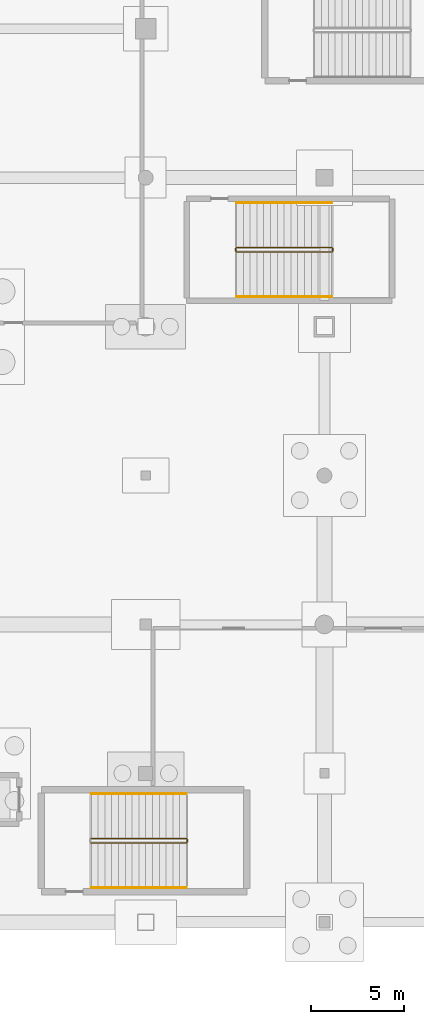
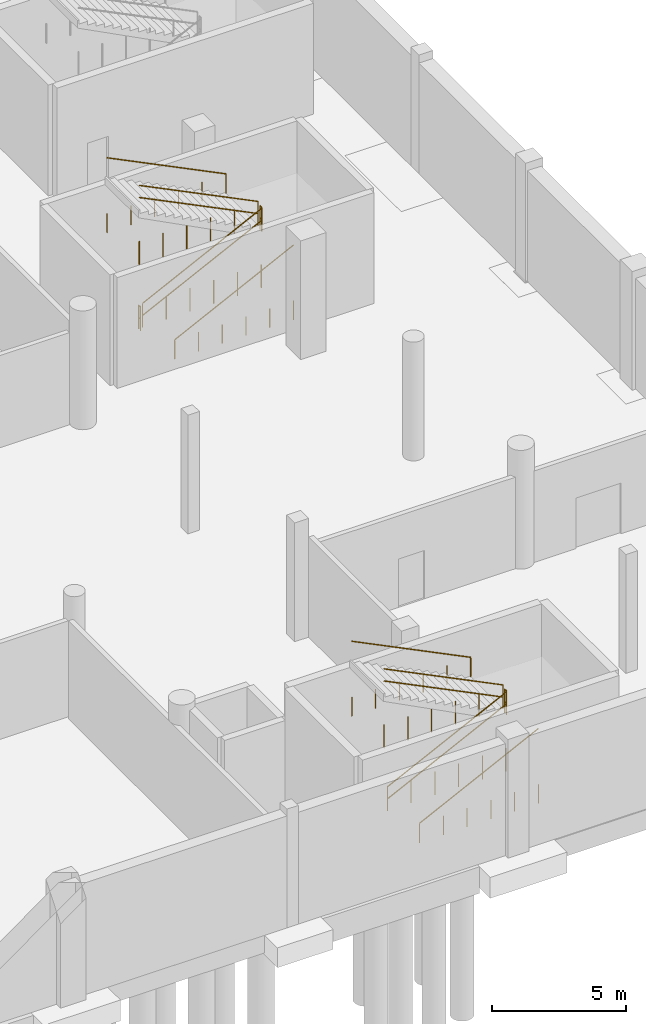
# One storey, part 40 of 44: 11 railings.
"""IFC4 building model written with IfcOpenShell, lengths in metres."""

import ifcopenshell
import ifcopenshell.guid

model = None  # the IFC model being written
_history = None  # IfcOwnerHistory: only IFC2X3 demands one
_inside = {}  # id of a spatial element -> (the spatial element, [elements in it])
_under = {}  # id of a project, library or spatial element -> (it, [spatial elements below it])
_declared = {}  # id of a project -> (the project, [libraries it declares])
_typed = {}  # id of a type object -> (the type object, [elements of that type])
_made_of = {}  # id of a material, layer set ... -> (it, [elements and type objects made of it])


def new_model(schema):
    """Start an empty IFC model of exactly this schema.

    Asked for "IFC4X3", IfcOpenShell would pick the latest addendum, in which some entities
    have other attributes; the version numbers below select the first issue.
    IFC2X3 requires an IfcOwnerHistory on every rooted entity: one is made here for all.
    """
    global model, _history
    if schema == "IFC4X3":
        model = ifcopenshell.file(schema_version=(4, 3, 0, 0))
    else:
        model = ifcopenshell.file(schema=schema)
    _inside.clear()
    _under.clear()
    _declared.clear()
    _typed.clear()
    _made_of.clear()
    _history = None
    if model.schema == "IFC2X3":
        org = make("IfcOrganization", Name="unknown")
        user = make(
            "IfcPersonAndOrganization",
            ThePerson=make("IfcPerson", FamilyName="unknown"),
            TheOrganization=org,
        )
        app = make(
            "IfcApplication",
            ApplicationDeveloper=org,
            Version="unknown",
            ApplicationFullName="unknown",
            ApplicationIdentifier="unknown",
        )
        _history = make(
            "IfcOwnerHistory",
            OwningUser=user,
            OwningApplication=app,
            ChangeAction="ADDED",
            CreationDate=0,
        )
    return model


def make(cls, **values):
    """One entity of the class cls with the attributes given. An attribute that is None is left unset."""
    return model.create_entity(
        cls, **{name: value for name, value in values.items() if value is not None}
    )


def rooted(cls, **values):
    """An entity with a GlobalId (a new one), such as an element, a storey or a relation."""
    return make(cls, GlobalId=ifcopenshell.guid.new(), OwnerHistory=_history, **values)


def si_unit(unit_type, name, prefix=None):
    """IfcSIUnit, for example si_unit("LENGTHUNIT", "METRE", prefix="MILLI")."""
    return make("IfcSIUnit", UnitType=unit_type, Prefix=prefix, Name=name)


def assignment(units):
    """IfcUnitAssignment: the units of a project."""
    return None if units is None else make("IfcUnitAssignment", Units=units)


def point(xyz):
    """IfcCartesianPoint."""
    return None if xyz is None else make("IfcCartesianPoint", Coordinates=xyz)


def direction(xyz):
    """IfcDirection."""
    return None if xyz is None else make("IfcDirection", DirectionRatios=xyz)


def frame(location, z_axis=None, x_axis=None):
    """IfcAxis2Placement3D, a coordinate frame: its origin and axes. An axis left out is left unset."""
    return make(
        "IfcAxis2Placement3D",
        Location=point(location),
        Axis=direction(z_axis),
        RefDirection=direction(x_axis),
    )


def frame_2d(location, x_axis=None):
    """IfcAxis2Placement2D, a coordinate frame in the plane: its origin and x axis."""
    return make(
        "IfcAxis2Placement2D", Location=point(location), RefDirection=direction(x_axis)
    )


def origin():
    """The frame at (0, 0, 0) with its axes left unset."""
    return frame((0.0, 0.0, 0.0))


def origin_2d():
    """The frame at (0, 0) in the plane with its x axis left unset."""
    return frame_2d((0.0, 0.0))


def place(relative_to, where):
    """IfcLocalPlacement: puts the frame where relative to a parent placement (None: the world)."""
    return make(
        "IfcLocalPlacement", PlacementRelTo=relative_to, RelativePlacement=where
    )


def context(
    kind, dimensions, precision=None, world=None, true_north=None, identifier=None
):
    """IfcGeometricRepresentationContext, for example the 3D "Model" context."""
    return make(
        "IfcGeometricRepresentationContext",
        ContextIdentifier=identifier,
        ContextType=kind,
        CoordinateSpaceDimension=dimensions,
        Precision=precision,
        WorldCoordinateSystem=world,
        TrueNorth=true_north,
    )


def subcontext(parent, identifier, kind, view, scale=None):
    """IfcGeometricRepresentationSubContext, for example "Body" below "Model"."""
    return make(
        "IfcGeometricRepresentationSubContext",
        ContextIdentifier=identifier,
        ContextType=kind,
        ParentContext=parent,
        TargetScale=scale,
        TargetView=view,
    )


def project(units=None, contexts=None):
    """IfcProject with its units and contexts."""
    return rooted(
        "IfcProject",
        Name="project",
        RepresentationContexts=contexts,
        UnitsInContext=assignment(units),
    )


def spatial(cls, under=None, at=None, **own):
    """A site, building, storey or space (cls), placed at a placement, below another one or the project."""
    s = rooted(cls, ObjectPlacement=at, **own)
    if under is not None:
        _under.setdefault(under.id(), (under, []))[1].append(s)
    return s


def profile(cls, at=None, kind="AREA", **sizes):
    """A parametric profile (cls). Its sizes go by their IFC names, for example OverallWidth=200.0."""
    return make(cls, ProfileType=kind, Position=at, **sizes)


def circle(**sizes):
    """IfcCircleProfileDef."""
    return profile("IfcCircleProfileDef", **sizes)


def extrude(swept, where, along, depth):
    """IfcExtrudedAreaSolid: the profile swept, set in the frame where, extruded along a direction by depth."""
    return make(
        "IfcExtrudedAreaSolid",
        SweptArea=swept,
        Position=where,
        ExtrudedDirection=direction(along),
        Depth=depth,
    )


def shape(context_of_items, identifier, shape_type, items):
    """IfcShapeRepresentation: the items that make up one representation, for example the "Body"."""
    return make(
        "IfcShapeRepresentation",
        ContextOfItems=context_of_items,
        RepresentationIdentifier=identifier,
        RepresentationType=shape_type,
        Items=items,
    )


def material(Name=None, Category=None):
    """IfcMaterial."""
    return make("IfcMaterial", Name=Name, Category=Category)


def made_of(thing, what):
    """Note that an element or type object is made of a material, layer set ...; save() writes the relation."""
    if what is not None:
        _made_of.setdefault(what.id(), (what, []))[1].append(thing)
    return thing


def type_object(cls, material=None, **own):
    """A type object (cls), such as IfcWallType, which elements share."""
    return made_of(rooted(cls, **own), material)


def element(
    cls,
    number,
    at=None,
    inside=None,
    cuts=None,
    type_object=None,
    material=None,
    context=None,
    identifier="Body",
    shape_type=None,
    held_by="IfcProductDefinitionShape",
    body=None,
    shapes=None,
    **own,
):
    """One element of the class cls, such as IfcWall. Its Tag is "e" and its number.

    at: its placement. inside: the storey or other place that contains it. cuts: it is an
    opening in that element (IfcRelVoidsElement). A single representation is given by context,
    identifier, shape_type and body (its items); several are given by shapes. held_by: the class
    of the entity that holds the representations. save() writes the other relations.
    """
    e = rooted(cls, Tag="e%d" % number, ObjectPlacement=at, **own)
    if body is not None:
        shapes = [shape(context, identifier, shape_type, body)]
    if shapes is not None:
        e.Representation = make(held_by, Representations=shapes)
    if inside is not None:
        _inside.setdefault(inside.id(), (inside, []))[1].append(e)
    if cuts is not None:
        rooted(
            "IfcRelVoidsElement", RelatingBuildingElement=cuts, RelatedOpeningElement=e
        )
    if type_object is not None:
        _typed.setdefault(type_object.id(), (type_object, []))[1].append(e)
    return made_of(e, material)


def aggregate(whole, parts):
    """IfcRelAggregates: a whole, such as a stair, and the parts it consists of."""
    return rooted("IfcRelAggregates", RelatingObject=whole, RelatedObjects=parts)


def save(model, path):
    """Write the relations noted so far, then the file.

    IfcRelAggregates (storeys below a building ...), IfcRelContainedInSpatialStructure (elements
    in a storey), IfcRelDefinesByType, IfcRelAssociatesMaterial and IfcRelDeclares: one each for
    every whole, place, type object, material and project.
    """
    for whole, parts in _under.values():
        aggregate(whole, parts)
    for where, things in _inside.values():
        rooted(
            "IfcRelContainedInSpatialStructure",
            RelatedElements=things,
            RelatingStructure=where,
        )
    for kind, things in _typed.values():
        rooted("IfcRelDefinesByType", RelatedObjects=things, RelatingType=kind)
    for what, things in _made_of.values():
        rooted("IfcRelAssociatesMaterial", RelatedObjects=things, RelatingMaterial=what)
    for by, libraries in _declared.values():
        rooted("IfcRelDeclares", RelatingContext=by, RelatedDefinitions=libraries)
    model.write(path)


model = new_model("IFC4")

# Units and contexts
model_context = context("Model", 3, precision=1e-05, world=origin(), true_north=direction((0.0, 1.0)))
body_context = subcontext(model_context, "Body", "Model", "MODEL_VIEW")
ifc_project = project(units=[si_unit("LENGTHUNIT", "METRE"), si_unit("AREAUNIT", "SQUARE_METRE"), si_unit("VOLUMEUNIT", "CUBIC_METRE"), si_unit("PLANEANGLEUNIT", "RADIAN"), si_unit("MASSUNIT", "GRAM", prefix="KILO")], contexts=[model_context])

# Site, building, storey
site_placement = place(None, origin())
site = spatial("IfcSite", under=ifc_project, at=site_placement, CompositionType="ELEMENT")
building_placement = place(site_placement, origin())
building = spatial("IfcBuilding", under=site, at=building_placement, Name="Danafjord Basin Convention Centre", CompositionType="ELEMENT")
storey_placement = place(building_placement, frame((0.0, 0.0, -5.39990234375)))
storey = spatial("IfcBuildingStorey", under=building, at=storey_placement, Name="B1", CompositionType="ELEMENT", Elevation=-5.39990234375)

# Railings
ifc_material_1 = material(Name="Galvanised steel S355", Category="steel")
railing_type_1 = type_object("IfcRailingType", Name="RL-GD-WELL", PredefinedType="BALUSTRADE", material=ifc_material_1)
railing_1_placement = place(storey_placement, frame((189.080078125, 12.260009765625, 0.179931640625)))
element("IfcRailing", 1, at=railing_1_placement, inside=storey, type_object=railing_type_1, Name="B1 ST-15 stair guard 1", PredefinedType="BALUSTRADE", context=body_context, shape_type="SweptSolid", body=[
    extrude(circle(Radius=0.02392578125, at=origin_2d()), frame((0.0, 0.0, 1.076171875), z_axis=(0.89686481642, 0.0, 0.442304760396), x_axis=(0.0, 1.0, 0.0)), (0.0, 0.0, 1.0), 5.697509765625),
    extrude(circle(Radius=0.02392578125, at=origin_2d()), frame((0.0, 0.0, 0.52587890625), z_axis=(0.89686481642, 0.0, 0.442304760396), x_axis=(0.0, 1.0, 0.0)), (0.0, 0.0, 1.0), 5.697509765625),
    extrude(circle(Radius=0.02099609375, at=origin_2d()), origin(), (0.0, 0.0, 1.0), 1.050048828125),
    extrude(circle(Radius=0.02099609375, at=origin_2d()), frame((1.02197265625, 0.0, 0.0)), (0.0, 0.0, 1.0), 1.050048828125),
    extrude(circle(Radius=0.02099609375, at=origin_2d()), frame((2.0439453125, 0.0, 0.0)), (0.0, 0.0, 1.0), 1.050048828125),
    extrude(circle(Radius=0.02099609375, at=origin_2d()), frame((3.06591796875, 0.0, 0.0)), (0.0, 0.0, 1.0), 1.050048828125),
    extrude(circle(Radius=0.02099609375, at=origin_2d()), frame((4.087890625, 0.0, 0.0)), (0.0, 0.0, 1.0), 1.050048828125),
    extrude(circle(Radius=0.02099609375, at=origin_2d()), frame((5.10986328125, 0.0, 0.0)), (0.0, 0.0, 1.0), 1.050048828125),
])
railing_2_placement = place(storey_placement, frame((194.239990234375, 12.31005859375, 2.699951171875)))
element("IfcRailing", 2, at=railing_2_placement, inside=storey, type_object=railing_type_1, Name="B1 ST-15 stair guard 2", PredefinedType="BALUSTRADE", context=body_context, shape_type="SweptSolid", body=[
    extrude(circle(Radius=0.02392578125, at=origin_2d()), frame((0.0, 0.0, 1.076171875), z_axis=(0.0, 1.0, 0.0), x_axis=(-1.0, 0.0, 0.0)), (0.0, 0.0, 1.0), 0.139892578125),
    extrude(circle(Radius=0.02392578125, at=origin_2d()), frame((0.0, 0.0, 0.52587890625), z_axis=(0.0, 1.0, 0.0), x_axis=(-1.0, 0.0, 0.0)), (0.0, 0.0, 1.0), 0.139892578125),
    extrude(circle(Radius=0.02099609375, at=origin_2d()), origin(), (0.0, 0.0, 1.0), 1.050048828125),
    extrude(circle(Radius=0.02099609375, at=origin_2d()), frame((0.0, 0.139892578125, 0.0)), (0.0, 0.0, 1.0), 1.050048828125),
])
railing_3_placement = place(storey_placement, frame((194.18994140625, 12.5, 2.8798828125)))
element("IfcRailing", 3, at=railing_3_placement, inside=storey, type_object=railing_type_1, Name="B1 ST-15 stair guard 3", PredefinedType="BALUSTRADE", context=body_context, shape_type="SweptSolid", body=[
    extrude(circle(Radius=0.02392578125, at=origin_2d()), frame((0.0, 0.0, 1.076171875), z_axis=(-0.89686481642, 0.0, 0.442304760396), x_axis=(0.0, -1.0, 0.0)), (0.0, 0.0, 1.0), 5.697509765625),
    extrude(circle(Radius=0.02392578125, at=origin_2d()), frame((0.0, 0.0, 0.52587890625), z_axis=(-0.89686481642, 0.0, 0.442304760396), x_axis=(0.0, -1.0, 0.0)), (0.0, 0.0, 1.0), 5.697509765625),
    extrude(circle(Radius=0.02099609375, at=origin_2d()), origin(), (0.0, 0.0, 1.0), 1.050048828125),
    extrude(circle(Radius=0.02099609375, at=origin_2d()), frame((-1.02197265625, 0.0, 0.0)), (0.0, 0.0, 1.0), 1.050048828125),
    extrude(circle(Radius=0.02099609375, at=origin_2d()), frame((-2.0439453125, 0.0, 0.0)), (0.0, 0.0, 1.0), 1.050048828125),
    extrude(circle(Radius=0.02099609375, at=origin_2d()), frame((-3.06591796875, 0.0, 0.0)), (0.0, 0.0, 1.0), 1.050048828125),
    extrude(circle(Radius=0.02099609375, at=origin_2d()), frame((-4.087890625, 0.0, 0.0)), (0.0, 0.0, 1.0), 1.050048828125),
    extrude(circle(Radius=0.02099609375, at=origin_2d()), frame((-5.10986328125, 0.0, 0.0)), (0.0, 0.0, 1.0), 1.050048828125),
])
railing_4_placement = place(storey_placement, frame((196.8798828125, 44.010009765625, 0.179931640625)))
element("IfcRailing", 4, at=railing_4_placement, inside=storey, type_object=railing_type_1, Name="B1 ST-14 stair guard 1", PredefinedType="BALUSTRADE", context=body_context, shape_type="SweptSolid", body=[
    extrude(circle(Radius=0.02392578125, at=origin_2d()), frame((0.0, 0.0, 1.076171875), z_axis=(0.896873198966, 0.0, 0.442287762635), x_axis=(0.0, 1.0, 0.0)), (0.0, 0.0, 1.0), 5.69775390625),
    extrude(circle(Radius=0.02392578125, at=origin_2d()), frame((0.0, 0.0, 0.52587890625), z_axis=(0.896873198966, 0.0, 0.442287762635), x_axis=(0.0, 1.0, 0.0)), (0.0, 0.0, 1.0), 5.69775390625),
    extrude(circle(Radius=0.02099609375, at=origin_2d()), origin(), (0.0, 0.0, 1.0), 1.050048828125),
    extrude(circle(Radius=0.02099609375, at=origin_2d()), frame((1.02197265625, 0.0, 0.0)), (0.0, 0.0, 1.0), 1.050048828125),
    extrude(circle(Radius=0.02099609375, at=origin_2d()), frame((2.0439453125, 0.0, 0.0)), (0.0, 0.0, 1.0), 1.050048828125),
    extrude(circle(Radius=0.02099609375, at=origin_2d()), frame((3.066162109375, 0.0, 0.0)), (0.0, 0.0, 1.0), 1.050048828125),
    extrude(circle(Radius=0.02099609375, at=origin_2d()), frame((4.088134765625, 0.0, 0.0)), (0.0, 0.0, 1.0), 1.050048828125),
    extrude(circle(Radius=0.02099609375, at=origin_2d()), frame((5.110107421875, 0.0, 0.0)), (0.0, 0.0, 1.0), 1.050048828125),
])
railing_5_placement = place(storey_placement, frame((202.0400390625, 44.06005859375, 2.699951171875)))
element("IfcRailing", 5, at=railing_5_placement, inside=storey, type_object=railing_type_1, Name="B1 ST-14 stair guard 2", PredefinedType="BALUSTRADE", context=body_context, shape_type="SweptSolid", body=[
    extrude(circle(Radius=0.02392578125, at=origin_2d()), frame((0.0, 0.0, 1.076171875), z_axis=(0.0, 1.0, 0.0), x_axis=(-1.0, 0.0, 0.0)), (0.0, 0.0, 1.0), 0.139892578125),
    extrude(circle(Radius=0.02392578125, at=origin_2d()), frame((0.0, 0.0, 0.52587890625), z_axis=(0.0, 1.0, 0.0), x_axis=(-1.0, 0.0, 0.0)), (0.0, 0.0, 1.0), 0.139892578125),
    extrude(circle(Radius=0.02099609375, at=origin_2d()), origin(), (0.0, 0.0, 1.0), 1.050048828125),
    extrude(circle(Radius=0.02099609375, at=origin_2d()), frame((0.0, 0.139892578125, 0.0)), (0.0, 0.0, 1.0), 1.050048828125),
])
railing_6_placement = place(storey_placement, frame((201.989990234375, 44.25, 2.8798828125)))
element("IfcRailing", 6, at=railing_6_placement, inside=storey, type_object=railing_type_1, Name="B1 ST-14 stair guard 3", PredefinedType="BALUSTRADE", context=body_context, shape_type="SweptSolid", body=[
    extrude(circle(Radius=0.02392578125, at=origin_2d()), frame((0.0, 0.0, 1.076171875), z_axis=(-0.896873198966, 0.0, 0.442287762635), x_axis=(0.0, -1.0, 0.0)), (0.0, 0.0, 1.0), 5.69775390625),
    extrude(circle(Radius=0.02392578125, at=origin_2d()), frame((0.0, 0.0, 0.52587890625), z_axis=(-0.896873198966, 0.0, 0.442287762635), x_axis=(0.0, -1.0, 0.0)), (0.0, 0.0, 1.0), 5.69775390625),
    extrude(circle(Radius=0.02099609375, at=origin_2d()), origin(), (0.0, 0.0, 1.0), 1.050048828125),
    extrude(circle(Radius=0.02099609375, at=origin_2d()), frame((-1.02197265625, 0.0, 0.0)), (0.0, 0.0, 1.0), 1.050048828125),
    extrude(circle(Radius=0.02099609375, at=origin_2d()), frame((-2.0439453125, 0.0, 0.0)), (0.0, 0.0, 1.0), 1.050048828125),
    extrude(circle(Radius=0.02099609375, at=origin_2d()), frame((-3.066162109375, 0.0, 0.0)), (0.0, 0.0, 1.0), 1.050048828125),
    extrude(circle(Radius=0.02099609375, at=origin_2d()), frame((-4.088134765625, 0.0, 0.0)), (0.0, 0.0, 1.0), 1.050048828125),
    extrude(circle(Radius=0.02099609375, at=origin_2d()), frame((-5.110107421875, 0.0, 0.0)), (0.0, 0.0, 1.0), 1.050048828125),
])
railing_7_placement = place(storey_placement, frame((196.830078125, 44.06005859375, 0.0)))
element("IfcRailing", 7, at=railing_7_placement, inside=storey, type_object=railing_type_1, Name="B1 ST-14 stair guard 4", PredefinedType="BALUSTRADE", context=body_context, shape_type="SweptSolid", body=[
    extrude(circle(Radius=0.02392578125, at=origin_2d()), frame((0.0, 0.0, 1.076171875), z_axis=(0.0, 1.0, 0.0), x_axis=(-1.0, 0.0, 0.0)), (0.0, 0.0, 1.0), 0.139892578125),
    extrude(circle(Radius=0.02392578125, at=origin_2d()), frame((0.0, 0.0, 0.52587890625), z_axis=(0.0, 1.0, 0.0), x_axis=(-1.0, 0.0, 0.0)), (0.0, 0.0, 1.0), 0.139892578125),
    extrude(circle(Radius=0.02099609375, at=origin_2d()), origin(), (0.0, 0.0, 1.0), 1.050048828125),
    extrude(circle(Radius=0.02099609375, at=origin_2d()), frame((0.0, 0.139892578125, 0.0)), (0.0, 0.0, 1.0), 1.050048828125),
])
ifc_material_2 = material(Name="Brushed stainless steel EN 1.4404", Category="steel")
railing_type_2 = type_object("IfcRailingType", Name="RL-HR-STAIR", PredefinedType="HANDRAIL", material=ifc_material_2)
railing_8_placement = place(storey_placement, frame((189.080078125, 9.860107421875, 0.179931640625)))
element("IfcRailing", 8, at=railing_8_placement, inside=storey, type_object=railing_type_2, Name="B1 ST-15 stair handrail 1", PredefinedType="HANDRAIL", context=body_context, shape_type="SweptSolid", body=[
    extrude(circle(Radius=0.02392578125, at=origin_2d()), frame((0.0, 0.0, 0.8759765625), z_axis=(0.89686481642, 0.0, 0.442304760396), x_axis=(0.0, 1.0, 0.0)), (0.0, 0.0, 1.0), 5.697509765625),
    extrude(circle(Radius=0.02099609375, at=origin_2d()), origin(), (0.0, 0.0, 1.0), 0.849853515625),
    extrude(circle(Radius=0.02099609375, at=origin_2d()), frame((1.02197265625, 0.0, 0.0)), (0.0, 0.0, 1.0), 0.849853515625),
    extrude(circle(Radius=0.02099609375, at=origin_2d()), frame((2.0439453125, 0.0, 0.0)), (0.0, 0.0, 1.0), 0.849853515625),
    extrude(circle(Radius=0.02099609375, at=origin_2d()), frame((3.06591796875, 0.0, 0.0)), (0.0, 0.0, 1.0), 0.849853515625),
    extrude(circle(Radius=0.02099609375, at=origin_2d()), frame((4.087890625, 0.0, 0.0)), (0.0, 0.0, 1.0), 0.849853515625),
    extrude(circle(Radius=0.02099609375, at=origin_2d()), frame((5.10986328125, 0.0, 0.0)), (0.0, 0.0, 1.0), 0.849853515625),
])
railing_9_placement = place(storey_placement, frame((194.18994140625, 14.89990234375, 2.8798828125)))
element("IfcRailing", 9, at=railing_9_placement, inside=storey, type_object=railing_type_2, Name="B1 ST-15 stair handrail 2", PredefinedType="HANDRAIL", context=body_context, shape_type="SweptSolid", body=[
    extrude(circle(Radius=0.02392578125, at=origin_2d()), frame((0.0, 0.0, 0.8759765625), z_axis=(-0.89686481642, 0.0, 0.442304760396), x_axis=(0.0, -1.0, 0.0)), (0.0, 0.0, 1.0), 5.697509765625),
    extrude(circle(Radius=0.02099609375, at=origin_2d()), origin(), (0.0, 0.0, 1.0), 0.849853515625),
    extrude(circle(Radius=0.02099609375, at=origin_2d()), frame((-1.02197265625, 0.0, 0.0)), (0.0, 0.0, 1.0), 0.849853515625),
    extrude(circle(Radius=0.02099609375, at=origin_2d()), frame((-2.0439453125, 0.0, 0.0)), (0.0, 0.0, 1.0), 0.849853515625),
    extrude(circle(Radius=0.02099609375, at=origin_2d()), frame((-3.06591796875, 0.0, 0.0)), (0.0, 0.0, 1.0), 0.849853515625),
    extrude(circle(Radius=0.02099609375, at=origin_2d()), frame((-4.087890625, 0.0, 0.0)), (0.0, 0.0, 1.0), 0.849853515625),
    extrude(circle(Radius=0.02099609375, at=origin_2d()), frame((-5.10986328125, 0.0, 0.0)), (0.0, 0.0, 1.0), 0.849853515625),
])
railing_10_placement = place(storey_placement, frame((196.8798828125, 41.610107421875, 0.179931640625)))
element("IfcRailing", 10, at=railing_10_placement, inside=storey, type_object=railing_type_2, Name="B1 ST-14 stair handrail 1", PredefinedType="HANDRAIL", context=body_context, shape_type="SweptSolid", body=[
    extrude(circle(Radius=0.02392578125, at=origin_2d()), frame((0.0, 0.0, 0.8759765625), z_axis=(0.896873198966, 0.0, 0.442287762635), x_axis=(0.0, 1.0, 0.0)), (0.0, 0.0, 1.0), 5.69775390625),
    extrude(circle(Radius=0.02099609375, at=origin_2d()), origin(), (0.0, 0.0, 1.0), 0.849853515625),
    extrude(circle(Radius=0.02099609375, at=origin_2d()), frame((1.02197265625, 0.0, 0.0)), (0.0, 0.0, 1.0), 0.849853515625),
    extrude(circle(Radius=0.02099609375, at=origin_2d()), frame((2.0439453125, 0.0, 0.0)), (0.0, 0.0, 1.0), 0.849853515625),
    extrude(circle(Radius=0.02099609375, at=origin_2d()), frame((3.066162109375, 0.0, 0.0)), (0.0, 0.0, 1.0), 0.849853515625),
    extrude(circle(Radius=0.02099609375, at=origin_2d()), frame((4.088134765625, 0.0, 0.0)), (0.0, 0.0, 1.0), 0.849853515625),
    extrude(circle(Radius=0.02099609375, at=origin_2d()), frame((5.110107421875, 0.0, 0.0)), (0.0, 0.0, 1.0), 0.849853515625),
])
railing_11_placement = place(storey_placement, frame((201.989990234375, 46.64990234375, 2.8798828125)))
element("IfcRailing", 11, at=railing_11_placement, inside=storey, type_object=railing_type_2, Name="B1 ST-14 stair handrail 2", PredefinedType="HANDRAIL", context=body_context, shape_type="SweptSolid", body=[
    extrude(circle(Radius=0.02392578125, at=origin_2d()), frame((0.0, 0.0, 0.8759765625), z_axis=(-0.896873198966, 0.0, 0.442287762635), x_axis=(0.0, -1.0, 0.0)), (0.0, 0.0, 1.0), 5.69775390625),
    extrude(circle(Radius=0.02099609375, at=origin_2d()), origin(), (0.0, 0.0, 1.0), 0.849853515625),
    extrude(circle(Radius=0.02099609375, at=origin_2d()), frame((-1.02197265625, 0.0, 0.0)), (0.0, 0.0, 1.0), 0.849853515625),
    extrude(circle(Radius=0.02099609375, at=origin_2d()), frame((-2.0439453125, 0.0, 0.0)), (0.0, 0.0, 1.0), 0.849853515625),
    extrude(circle(Radius=0.02099609375, at=origin_2d()), frame((-3.066162109375, 0.0, 0.0)), (0.0, 0.0, 1.0), 0.849853515625),
    extrude(circle(Radius=0.02099609375, at=origin_2d()), frame((-4.088134765625, 0.0, 0.0)), (0.0, 0.0, 1.0), 0.849853515625),
    extrude(circle(Radius=0.02099609375, at=origin_2d()), frame((-5.110107421875, 0.0, 0.0)), (0.0, 0.0, 1.0), 0.849853515625),
])

save(model, "model.ifc")
